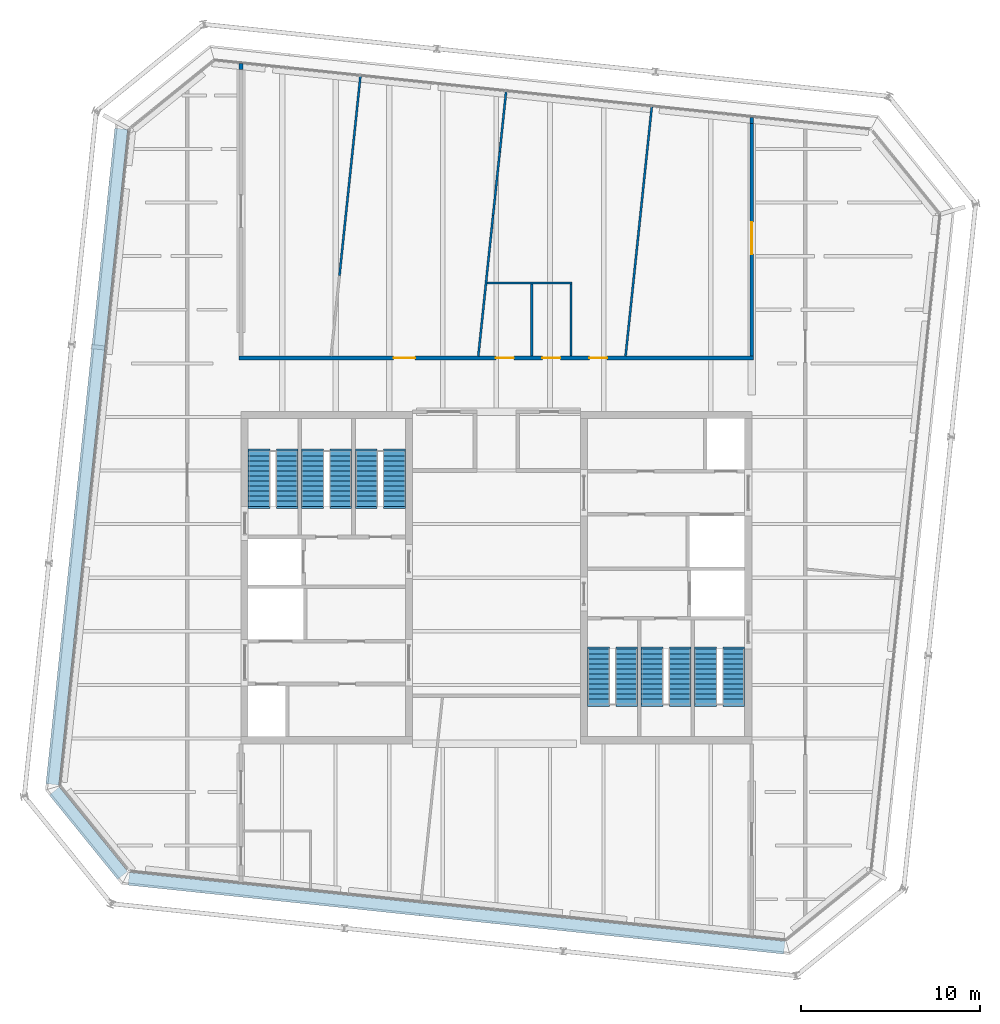
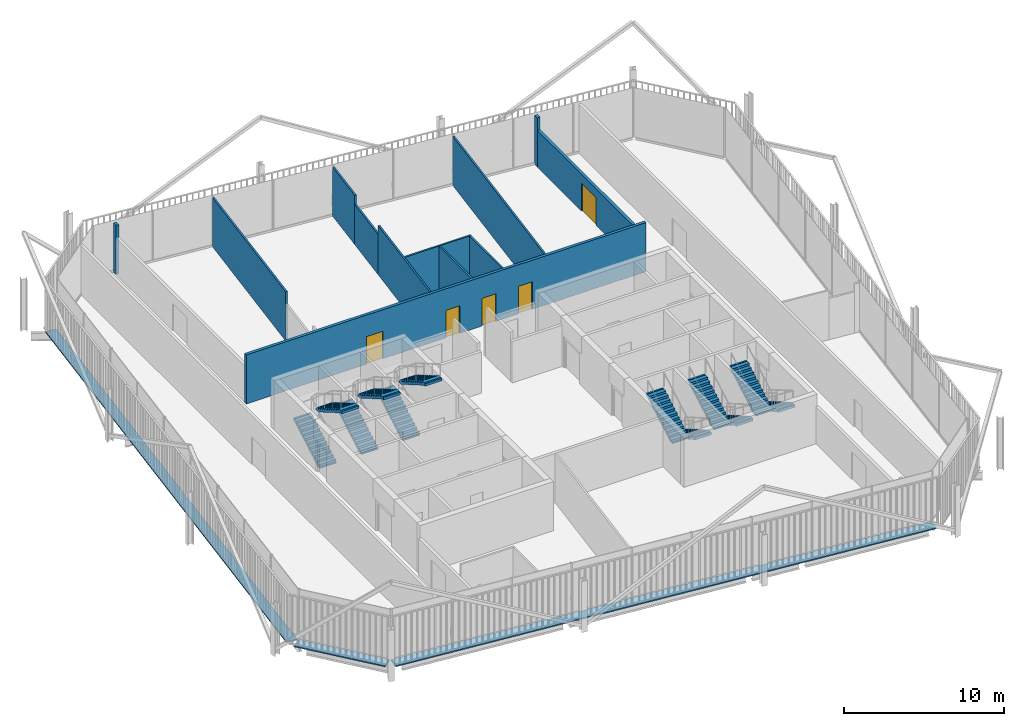
# One storey, part 19 of 21: 12 stair flights, 12 walls, 5 doors, 3 discrete accessories, 5 openings, 6 elements without a shape of their own.
"""IFC4 building model written with IfcOpenShell, lengths in metres."""

import ifcopenshell
import ifcopenshell.guid

model = None  # the IFC model being written
_history = None  # IfcOwnerHistory: only IFC2X3 demands one
_inside = {}  # id of a spatial element -> (the spatial element, [elements in it])
_under = {}  # id of a project, library or spatial element -> (it, [spatial elements below it])
_declared = {}  # id of a project -> (the project, [libraries it declares])
_typed = {}  # id of a type object -> (the type object, [elements of that type])
_made_of = {}  # id of a material, layer set ... -> (it, [elements and type objects made of it])


def new_model(schema):
    """Start an empty IFC model of exactly this schema.

    Asked for "IFC4X3", IfcOpenShell would pick the latest addendum, in which some entities
    have other attributes; the version numbers below select the first issue.
    IFC2X3 requires an IfcOwnerHistory on every rooted entity: one is made here for all.
    """
    global model, _history
    if schema == "IFC4X3":
        model = ifcopenshell.file(schema_version=(4, 3, 0, 0))
    else:
        model = ifcopenshell.file(schema=schema)
    _inside.clear()
    _under.clear()
    _declared.clear()
    _typed.clear()
    _made_of.clear()
    _history = None
    if model.schema == "IFC2X3":
        org = make("IfcOrganization", Name="unknown")
        user = make(
            "IfcPersonAndOrganization",
            ThePerson=make("IfcPerson", FamilyName="unknown"),
            TheOrganization=org,
        )
        app = make(
            "IfcApplication",
            ApplicationDeveloper=org,
            Version="unknown",
            ApplicationFullName="unknown",
            ApplicationIdentifier="unknown",
        )
        _history = make(
            "IfcOwnerHistory",
            OwningUser=user,
            OwningApplication=app,
            ChangeAction="ADDED",
            CreationDate=0,
        )
    return model


def make(cls, **values):
    """One entity of the class cls with the attributes given. An attribute that is None is left unset."""
    return model.create_entity(
        cls, **{name: value for name, value in values.items() if value is not None}
    )


def rooted(cls, **values):
    """An entity with a GlobalId (a new one), such as an element, a storey or a relation."""
    return make(cls, GlobalId=ifcopenshell.guid.new(), OwnerHistory=_history, **values)


def si_unit(unit_type, name, prefix=None):
    """IfcSIUnit, for example si_unit("LENGTHUNIT", "METRE", prefix="MILLI")."""
    return make("IfcSIUnit", UnitType=unit_type, Prefix=prefix, Name=name)


def assignment(units):
    """IfcUnitAssignment: the units of a project."""
    return None if units is None else make("IfcUnitAssignment", Units=units)


def point(xyz):
    """IfcCartesianPoint."""
    return None if xyz is None else make("IfcCartesianPoint", Coordinates=xyz)


def direction(xyz):
    """IfcDirection."""
    return None if xyz is None else make("IfcDirection", DirectionRatios=xyz)


def frame(location, z_axis=None, x_axis=None):
    """IfcAxis2Placement3D, a coordinate frame: its origin and axes. An axis left out is left unset."""
    return make(
        "IfcAxis2Placement3D",
        Location=point(location),
        Axis=direction(z_axis),
        RefDirection=direction(x_axis),
    )


def frame_2d(location, x_axis=None):
    """IfcAxis2Placement2D, a coordinate frame in the plane: its origin and x axis."""
    return make(
        "IfcAxis2Placement2D", Location=point(location), RefDirection=direction(x_axis)
    )


def origin():
    """The frame at (0, 0, 0) with its axes left unset."""
    return frame((0.0, 0.0, 0.0))


def origin_2d():
    """The frame at (0, 0) in the plane with its x axis left unset."""
    return frame_2d((0.0, 0.0))


def place(relative_to, where):
    """IfcLocalPlacement: puts the frame where relative to a parent placement (None: the world)."""
    return make(
        "IfcLocalPlacement", PlacementRelTo=relative_to, RelativePlacement=where
    )


def context(
    kind, dimensions, precision=None, world=None, true_north=None, identifier=None
):
    """IfcGeometricRepresentationContext, for example the 3D "Model" context."""
    return make(
        "IfcGeometricRepresentationContext",
        ContextIdentifier=identifier,
        ContextType=kind,
        CoordinateSpaceDimension=dimensions,
        Precision=precision,
        WorldCoordinateSystem=world,
        TrueNorth=true_north,
    )


def subcontext(parent, identifier, kind, view, scale=None):
    """IfcGeometricRepresentationSubContext, for example "Body" below "Model"."""
    return make(
        "IfcGeometricRepresentationSubContext",
        ContextIdentifier=identifier,
        ContextType=kind,
        ParentContext=parent,
        TargetScale=scale,
        TargetView=view,
    )


def project(units=None, contexts=None):
    """IfcProject with its units and contexts."""
    return rooted(
        "IfcProject",
        Name="project",
        RepresentationContexts=contexts,
        UnitsInContext=assignment(units),
    )


def spatial(cls, under=None, at=None, **own):
    """A site, building, storey or space (cls), placed at a placement, below another one or the project."""
    s = rooted(cls, ObjectPlacement=at, **own)
    if under is not None:
        _under.setdefault(under.id(), (under, []))[1].append(s)
    return s


def polyline(points):
    """IfcPolyline through the points."""
    return make("IfcPolyline", Points=[point(p) for p in points])


def profile(cls, at=None, kind="AREA", **sizes):
    """A parametric profile (cls). Its sizes go by their IFC names, for example OverallWidth=200.0."""
    return make(cls, ProfileType=kind, Position=at, **sizes)


def rectangle(**sizes):
    """IfcRectangleProfileDef."""
    return profile("IfcRectangleProfileDef", **sizes)


def outline(outer, holes=None, kind="AREA"):
    """IfcArbitraryClosedProfileDef: a profile drawn as a closed curve; with holes, ...WithVoids."""
    if holes is None:
        return make("IfcArbitraryClosedProfileDef", ProfileType=kind, OuterCurve=outer)
    return make(
        "IfcArbitraryProfileDefWithVoids",
        ProfileType=kind,
        OuterCurve=outer,
        InnerCurves=holes,
    )


def extrude(swept, where, along, depth):
    """IfcExtrudedAreaSolid: the profile swept, set in the frame where, extruded along a direction by depth."""
    return make(
        "IfcExtrudedAreaSolid",
        SweptArea=swept,
        Position=where,
        ExtrudedDirection=direction(along),
        Depth=depth,
    )


def shape(context_of_items, identifier, shape_type, items):
    """IfcShapeRepresentation: the items that make up one representation, for example the "Body"."""
    return make(
        "IfcShapeRepresentation",
        ContextOfItems=context_of_items,
        RepresentationIdentifier=identifier,
        RepresentationType=shape_type,
        Items=items,
    )


def material(Name=None, Category=None):
    """IfcMaterial."""
    return make("IfcMaterial", Name=Name, Category=Category)


def layer(
    of_material, thickness, ventilated=None, Name=None, Category=None, Priority=None
):
    """IfcMaterialLayer: one layer of a wall or slab, of a material (None: an air gap)."""
    return make(
        "IfcMaterialLayer",
        Material=of_material,
        LayerThickness=thickness,
        IsVentilated=ventilated,
        Name=Name,
        Category=Category,
        Priority=Priority,
    )


def layer_set(layers, Name=None):
    """IfcMaterialLayerSet."""
    return make("IfcMaterialLayerSet", MaterialLayers=layers, LayerSetName=Name)


def made_of(thing, what):
    """Note that an element or type object is made of a material, layer set ...; save() writes the relation."""
    if what is not None:
        _made_of.setdefault(what.id(), (what, []))[1].append(thing)
    return thing


def type_object(cls, material=None, **own):
    """A type object (cls), such as IfcWallType, which elements share."""
    return made_of(rooted(cls, **own), material)


def element(
    cls,
    number,
    at=None,
    inside=None,
    cuts=None,
    type_object=None,
    material=None,
    context=None,
    identifier="Body",
    shape_type=None,
    held_by="IfcProductDefinitionShape",
    body=None,
    shapes=None,
    **own,
):
    """One element of the class cls, such as IfcWall. Its Tag is "e" and its number.

    at: its placement. inside: the storey or other place that contains it. cuts: it is an
    opening in that element (IfcRelVoidsElement). A single representation is given by context,
    identifier, shape_type and body (its items); several are given by shapes. held_by: the class
    of the entity that holds the representations. save() writes the other relations.
    """
    e = rooted(cls, Tag="e%d" % number, ObjectPlacement=at, **own)
    if body is not None:
        shapes = [shape(context, identifier, shape_type, body)]
    if shapes is not None:
        e.Representation = make(held_by, Representations=shapes)
    if inside is not None:
        _inside.setdefault(inside.id(), (inside, []))[1].append(e)
    if cuts is not None:
        rooted(
            "IfcRelVoidsElement", RelatingBuildingElement=cuts, RelatedOpeningElement=e
        )
    if type_object is not None:
        _typed.setdefault(type_object.id(), (type_object, []))[1].append(e)
    return made_of(e, material)


def fill(opening, filler):
    """IfcRelFillsElement: the door or window that sits in an opening."""
    return rooted(
        "IfcRelFillsElement",
        RelatingOpeningElement=opening,
        RelatedBuildingElement=filler,
    )


def aggregate(whole, parts):
    """IfcRelAggregates: a whole, such as a stair, and the parts it consists of."""
    return rooted("IfcRelAggregates", RelatingObject=whole, RelatedObjects=parts)


def save(model, path):
    """Write the relations noted so far, then the file.

    IfcRelAggregates (storeys below a building ...), IfcRelContainedInSpatialStructure (elements
    in a storey), IfcRelDefinesByType, IfcRelAssociatesMaterial and IfcRelDeclares: one each for
    every whole, place, type object, material and project.
    """
    for whole, parts in _under.values():
        aggregate(whole, parts)
    for where, things in _inside.values():
        rooted(
            "IfcRelContainedInSpatialStructure",
            RelatedElements=things,
            RelatingStructure=where,
        )
    for kind, things in _typed.values():
        rooted("IfcRelDefinesByType", RelatedObjects=things, RelatingType=kind)
    for what, things in _made_of.values():
        rooted("IfcRelAssociatesMaterial", RelatedObjects=things, RelatingMaterial=what)
    for by, libraries in _declared.values():
        rooted("IfcRelDeclares", RelatingContext=by, RelatedDefinitions=libraries)
    model.write(path)


model = new_model("IFC4")

# Units and contexts
model_context = context("Model", 3, precision=1e-05, world=origin(), true_north=direction((0.0, 1.0)))
body_context = subcontext(model_context, "Body", "Model", "MODEL_VIEW")
ifc_project = project(units=[si_unit("LENGTHUNIT", "METRE"), si_unit("AREAUNIT", "SQUARE_METRE"), si_unit("VOLUMEUNIT", "CUBIC_METRE"), si_unit("PLANEANGLEUNIT", "RADIAN"), si_unit("MASSUNIT", "GRAM", prefix="KILO")], contexts=[model_context])

# Site, building, storey
site_placement = place(None, origin())
site = spatial("IfcSite", under=ifc_project, at=site_placement, CompositionType="ELEMENT")
building_placement = place(site_placement, origin())
building = spatial("IfcBuilding", under=site, at=building_placement, Name="Millrace Tower", CompositionType="ELEMENT")
storey_placement = place(building_placement, frame((0.0, 0.0, 276.0)))
storey = spatial("IfcBuildingStorey", under=building, at=storey_placement, Name="L63", CompositionType="ELEMENT", Elevation=276.0)

# Wall, openings, doors
ifc_material_1 = material(Name="Masonry partition, fire-rated", Category="masonry")
ifc_layer_1 = layer(ifc_material_1, 0.199951171875)
ifc_layer_set_1 = layer_set([ifc_layer_1], Name="Masonry partition, fire-rated")
wall_type_1 = type_object("IfcWallType", Name="Corridor wall 200", PredefinedType="PARTITIONING", material=ifc_layer_set_1)
wall_1_placement = place(storey_placement, frame((-14.39990234375, 12.300048828125, 0.0), z_axis=(0.0, 0.0, 1.0), x_axis=(1.0, 0.0, 0.0)))
wall_1 = element("IfcWall", 1, at=wall_1_placement, inside=storey, type_object=wall_type_1, Name="Corridor wall L63", PredefinedType="PARTITIONING", context=body_context, shape_type="SweptSolid", body=[
    extrude(rectangle(XDim=28.7998046875, YDim=0.199951171875, at=frame_2d((14.39990234375, 0.0))), origin(), (0.0, 0.0, 1.0), 3.739990234375),
])
opening_1_placement = place(wall_1_placement, frame((8.651611328125, 0.0, 0.0)))
opening_1 = element("IfcOpeningElement", 2, at=opening_1_placement, cuts=wall_1, Name="Opening 63-P005", PredefinedType="OPENING", context=body_context, shape_type="SweptSolid", body=[
    extrude(rectangle(XDim=1.199951171875, YDim=2.10009765625, at=frame_2d((0.60009765625, 1.050048828125))), frame((0.0, 0.10986328125, 0.0), z_axis=(0.0, -1.0, 0.0), x_axis=(1.0, 0.0, 0.0)), (0.0, 0.0, 1.0), 0.219970703125),
])
opening_2_placement = place(wall_1_placement, frame((19.596435546875, 0.0, 0.0)))
opening_2 = element("IfcOpeningElement", 3, at=opening_2_placement, cuts=wall_1, Name="Opening 63-P006", PredefinedType="OPENING", context=body_context, shape_type="SweptSolid", body=[
    extrude(rectangle(XDim=1.0, YDim=2.10009765625, at=frame_2d((0.5, 1.050048828125))), frame((0.0, 0.10986328125, 0.0), z_axis=(0.0, -1.0, 0.0), x_axis=(1.0, 0.0, 0.0)), (0.0, 0.0, 1.0), 0.219970703125),
])
opening_3_placement = place(wall_1_placement, frame((14.3740234375, 0.0, 0.0)))
opening_3 = element("IfcOpeningElement", 4, at=opening_3_placement, cuts=wall_1, Name="Opening 63-P007", PredefinedType="OPENING", context=body_context, shape_type="SweptSolid", body=[
    extrude(rectangle(XDim=1.0, YDim=2.10009765625, at=frame_2d((0.5, 1.050048828125))), frame((0.0, 0.10986328125, 0.0), z_axis=(0.0, -1.0, 0.0), x_axis=(1.0, 0.0, 0.0)), (0.0, 0.0, 1.0), 0.219970703125),
])
opening_4_placement = place(wall_1_placement, frame((16.97412109375, 0.0, 0.0)))
opening_4 = element("IfcOpeningElement", 5, at=opening_4_placement, cuts=wall_1, Name="Opening 63-P008", PredefinedType="OPENING", context=body_context, shape_type="SweptSolid", body=[
    extrude(rectangle(XDim=1.0, YDim=2.10009765625, at=frame_2d((0.5, 1.050048828125))), frame((0.0, 0.10986328125, 0.0), z_axis=(0.0, -1.0, 0.0), x_axis=(1.0, 0.0, 0.0)), (0.0, 0.0, 1.0), 0.219970703125),
])
ifc_material_2 = material(Name="Steel door set, fire-rated", Category="steel")
door_type_1 = type_object("IfcDoorType", Name="Corridor door 1000 x 2100", OperationType="SINGLE_SWING_LEFT", PredefinedType="DOOR", material=ifc_material_2)
door_1_placement = place(opening_2_placement, origin())
door_1 = element("IfcDoor", 6, at=door_1_placement, inside=storey, type_object=door_type_1, Name="Door 63-P006", OperationType="SINGLE_SWING_RIGHT", OverallHeight=2.10009765625, OverallWidth=1.0, PredefinedType="DOOR", context=body_context, shape_type="SweptSolid", body=[
    extrude(rectangle(XDim=1.0, YDim=2.10009765625, at=frame_2d((0.5, 1.050048828125))), frame((0.0, 0.02490234375, 0.0), z_axis=(0.0, -1.0, 0.0), x_axis=(1.0, 0.0, 0.0)), (0.0, 0.0, 1.0), 0.050048828125),
])
fill(opening_2, door_1)
door_2_placement = place(opening_3_placement, origin())
door_2 = element("IfcDoor", 7, at=door_2_placement, inside=storey, type_object=door_type_1, Name="Door 63-P007", OperationType="SINGLE_SWING_RIGHT", OverallHeight=2.10009765625, OverallWidth=1.0, PredefinedType="DOOR", context=body_context, shape_type="SweptSolid", body=[
    extrude(rectangle(XDim=1.0, YDim=2.10009765625, at=frame_2d((0.5, 1.050048828125))), frame((0.0, 0.02490234375, 0.0), z_axis=(0.0, -1.0, 0.0), x_axis=(1.0, 0.0, 0.0)), (0.0, 0.0, 1.0), 0.050048828125),
])
fill(opening_3, door_2)
door_3_placement = place(opening_4_placement, origin())
door_3 = element("IfcDoor", 8, at=door_3_placement, inside=storey, type_object=door_type_1, Name="Door 63-P008", OperationType="SINGLE_SWING_RIGHT", OverallHeight=2.10009765625, OverallWidth=1.0, PredefinedType="DOOR", context=body_context, shape_type="SweptSolid", body=[
    extrude(rectangle(XDim=1.0, YDim=2.10009765625, at=frame_2d((0.5, 1.050048828125))), frame((0.0, 0.02490234375, 0.0), z_axis=(0.0, -1.0, 0.0), x_axis=(1.0, 0.0, 0.0)), (0.0, 0.0, 1.0), 0.050048828125),
])
fill(opening_4, door_3)
ifc_material_3 = material(Name="Steel door set, fire-rated", Category="steel")
door_type_2 = type_object("IfcDoorType", Name="Corridor door 1200 x 2100", OperationType="SINGLE_SWING_LEFT", PredefinedType="DOOR", material=ifc_material_3)
door_4_placement = place(opening_1_placement, origin())
door_4 = element("IfcDoor", 9, at=door_4_placement, inside=storey, type_object=door_type_2, Name="Door 63-P005", OperationType="SINGLE_SWING_LEFT", OverallHeight=2.10009765625, OverallWidth=1.199951171875, PredefinedType="DOOR", context=body_context, shape_type="SweptSolid", body=[
    extrude(rectangle(XDim=1.199951171875, YDim=2.10009765625, at=frame_2d((0.60009765625, 1.050048828125))), frame((0.0, 0.02490234375, 0.0), z_axis=(0.0, -1.0, 0.0), x_axis=(1.0, 0.0, 0.0)), (0.0, 0.0, 1.0), 0.050048828125),
])
fill(opening_1, door_4)

# Wall, opening, door
wall_2_placement = place(storey_placement, frame((14.300048828125, 12.39990234375, 0.0), z_axis=(0.0, 0.0, 1.0), x_axis=(0.0, 1.0, 0.0)))
wall_2 = element("IfcWall", 10, at=wall_2_placement, inside=storey, type_object=wall_type_1, Name="Corridor wall L63", PredefinedType="PARTITIONING", context=body_context, shape_type="SweptSolid", body=[
    extrude(rectangle(XDim=13.034423828125, YDim=0.199951171875, at=frame_2d((6.51708984375, 0.0))), origin(), (0.0, 0.0, 1.0), 2.79248046875),
])
opening_5_placement = place(wall_2_placement, frame((5.71142578125, 0.0, 0.0)))
opening_5 = element("IfcOpeningElement", 11, at=opening_5_placement, cuts=wall_2, Name="Opening 63-P009", PredefinedType="OPENING", context=body_context, shape_type="SweptSolid", body=[
    extrude(rectangle(XDim=1.800048828125, YDim=2.10009765625, at=frame_2d((0.89990234375, 1.050048828125))), frame((0.0, 0.10986328125, 0.0), z_axis=(0.0, -1.0, 0.0), x_axis=(1.0, 0.0, 0.0)), (0.0, 0.0, 1.0), 0.219970703125),
])
ifc_material_4 = material(Name="Steel door set, fire-rated", Category="steel")
door_type_3 = type_object("IfcDoorType", Name="Corridor door 1800 x 2100", OperationType="DOUBLE_DOOR_SINGLE_SWING", PredefinedType="DOOR", material=ifc_material_4)
door_5_placement = place(opening_5_placement, origin())
door_5 = element("IfcDoor", 12, at=door_5_placement, inside=storey, type_object=door_type_3, Name="Door 63-P009", OperationType="DOUBLE_DOOR_SINGLE_SWING", OverallHeight=2.10009765625, OverallWidth=1.800048828125, PredefinedType="DOOR", context=body_context, shape_type="SweptSolid", body=[
    extrude(rectangle(XDim=1.800048828125, YDim=2.10009765625, at=frame_2d((0.89990234375, 1.050048828125))), frame((0.0, 0.02490234375, 0.0), z_axis=(0.0, -1.0, 0.0), x_axis=(1.0, 0.0, 0.0)), (0.0, 0.0, 1.0), 0.050048828125),
])
fill(opening_5, door_5)

# Walls
wall_3_placement = place(storey_placement, frame((14.300048828125, 25.434326171875, 0.0), z_axis=(0.0, 0.0, 1.0), x_axis=(0.0, 1.0, 0.0)))
element("IfcWall", 13, at=wall_3_placement, inside=storey, type_object=wall_type_1, Name="Corridor wall L63", PredefinedType="PARTITIONING", context=body_context, shape_type="SweptSolid", body=[
    extrude(rectangle(XDim=0.339111328125, YDim=0.199951171875, at=frame_2d((0.16943359375, 0.0))), origin(), (0.0, 0.0, 1.0), 3.739990234375),
])
wall_4_placement = place(storey_placement, frame((-14.300048828125, 28.440185546875, 0.0), z_axis=(0.0, 0.0, 1.0), x_axis=(0.0, 1.0, 0.0)))
element("IfcWall", 14, at=wall_4_placement, inside=storey, type_object=wall_type_1, Name="Corridor wall L63", PredefinedType="PARTITIONING", context=body_context, shape_type="SweptSolid", body=[
    extrude(rectangle(XDim=0.33935546875, YDim=0.199951171875, at=frame_2d((0.169677734375, 0.0))), origin(), (0.0, 0.0, 1.0), 3.739990234375),
])
ifc_material_5 = material(Name="Gypsum board partition")
ifc_layer_2 = layer(ifc_material_5, 0.1201171875)
ifc_layer_set_2 = layer_set([ifc_layer_2], Name="Gypsum board partition")
wall_type_2 = type_object("IfcWallType", Name="Partition wall 120", PredefinedType="PARTITIONING", material=ifc_layer_set_2)
wall_5_placement = place(storey_placement, frame((-0.52392578125, 16.5, 0.0), z_axis=(0.0, 0.0, 1.0), x_axis=(1.0, 0.0, 0.0)))
element("IfcWall", 15, at=wall_5_placement, inside=storey, type_object=wall_type_2, Name="Partition wall L63", PredefinedType="PARTITIONING", context=body_context, shape_type="SweptSolid", body=[
    extrude(rectangle(XDim=4.7578125, YDim=0.1201171875, at=frame_2d((2.37890625, 0.0))), origin(), (0.0, 0.0, 1.0), 3.739990234375),
])
wall_6_placement = place(storey_placement, frame((7.2294921875, 12.3994140625, 0.0), z_axis=(0.0, 0.0, 1.0), x_axis=(0.104543574031, 0.994520307047, 0.0)))
element("IfcWall", 16, at=wall_6_placement, inside=storey, type_object=wall_type_2, Name="Partition wall L63", PredefinedType="PARTITIONING", context=body_context, shape_type="SweptSolid", body=[
    extrude(rectangle(XDim=14.039794921875, YDim=0.1201171875, at=frame_2d((7.02001953125, 0.0))), origin(), (0.0, 0.0, 1.0), 3.739990234375),
])
wall_7_placement = place(storey_placement, frame((-1.014892578125, 12.3994140625, 0.0), z_axis=(0.0, 0.0, 1.0), x_axis=(0.104490466959, 0.994525888207, 0.0)))
element("IfcWall", 17, at=wall_7_placement, inside=storey, type_object=wall_type_2, Name="Partition wall L63", PredefinedType="PARTITIONING", context=body_context, shape_type="SweptSolid", body=[
    extrude(rectangle(XDim=7.91357421875, YDim=0.1201171875, at=frame_2d((3.956787109375, 0.0))), origin(), (0.0, 0.0, 1.0), 3.739990234375),
])
wall_8_placement = place(storey_placement, frame((-0.18798828125, 20.269775390625, 0.0), z_axis=(0.0, 0.0, 1.0), x_axis=(0.104508154604, 0.994524029685, 0.0)))
element("IfcWall", 18, at=wall_8_placement, inside=storey, type_object=wall_type_2, Name="Partition wall L63", PredefinedType="PARTITIONING", context=body_context, shape_type="SweptSolid", body=[
    extrude(rectangle(XDim=3.59765625, YDim=0.1201171875, at=frame_2d((1.798828125, 0.0))), origin(), (0.0, 0.0, 1.0), 3.046630859375),
])
wall_9_placement = place(storey_placement, frame((0.18798828125, 23.84765625, 0.0), z_axis=(0.0, 0.0, 1.0), x_axis=(0.104486114496, 0.994526345492, 0.0)))
element("IfcWall", 19, at=wall_9_placement, inside=storey, type_object=wall_type_2, Name="Partition wall L63", PredefinedType="PARTITIONING", context=body_context, shape_type="SweptSolid", body=[
    extrude(rectangle(XDim=3.390380859375, YDim=0.1201171875, at=frame_2d((1.6953125, 0.0))), origin(), (0.0, 0.0, 1.0), 3.739990234375),
])
wall_10_placement = place(storey_placement, frame((-8.78662109375, 16.908203125, 0.0), z_axis=(0.0, 0.0, 1.0), x_axis=(0.104526348567, 0.99452211763, 0.0)))
element("IfcWall", 20, at=wall_10_placement, inside=storey, type_object=wall_type_2, Name="Partition wall L63", PredefinedType="PARTITIONING", context=body_context, shape_type="SweptSolid", body=[
    extrude(rectangle(XDim=11.22998046875, YDim=0.1201171875, at=frame_2d((5.614990234375, 0.0))), origin(), (0.0, 0.0, 1.0), 3.739990234375),
])
for number, where, z_axis, x_axis, name in (
    (21, (4.174072265625, 12.39990234375, 0.0), (0.0, 0.0, 1.0), (0.0, 1.0, 0.0), "Partition wall L63"),
    (22, (1.97412109375, 12.39990234375, 0.0), (0.0, 0.0, 1.0), (0.0, 1.0, 0.0), "Partition wall L63"),
):
    element("IfcWall", number, at=place(storey_placement, frame(where, z_axis=z_axis, x_axis=x_axis)), inside=storey, type_object=wall_type_2, Name=name, PredefinedType="PARTITIONING", context=body_context, shape_type="SweptSolid", body=[
        extrude(rectangle(XDim=4.0400390625, YDim=0.1201171875, at=frame_2d((2.02001953125, 0.0))), origin(), (0.0, 0.0, 1.0), 3.739990234375),
    ])

# Stair, stair flights
ifc_material_6 = material(Name="Concrete C35", Category="concrete")
stair_type = type_object("IfcStairType", Name="Exit stair", PredefinedType="HALF_TURN_STAIR", material=ifc_material_6)
placement = place(storey_placement, origin())
stair_1 = element("IfcStair", 23, at=placement, inside=storey, type_object=stair_type, Name="Stair 1 W L63", PredefinedType="HALF_TURN_STAIR")
ifc_material_7 = material(Name="Concrete C35", Category="concrete")
stair_flight_type = type_object("IfcStairFlightType", Name="Exit stair flight", PredefinedType="STRAIGHT", material=ifc_material_7)
stair_flight_1_placement = place(storey_placement, frame((-13.2900390625, 4.0, 0.0), z_axis=(0.0, 0.0, 1.0), x_axis=(0.0, 1.0, 0.0)))
stair_flight_1 = element("IfcStairFlight", 24, at=stair_flight_1_placement, type_object=stair_flight_type, Name="ST12 flight 1", NumberOfRisers=12, NumberOfTreads=11, PredefinedType="STRAIGHT", RiserHeight=0.1625, TreadLength=0.28, context=body_context, shape_type="SweptSolid", body=[
    extrude(outline(polyline([(-0.1201171875, -0.0400390625), (-0.1201171875, 0.0), (0.0, 0.0), (0.0, 0.16259765625), (0.280029296875, 0.16259765625), (0.280029296875, 0.324951171875), (0.56005859375, 0.324951171875), (0.56005859375, 0.487548828125), (0.840087890625, 0.487548828125), (0.840087890625, 0.64990234375), (1.1201171875, 0.64990234375), (1.1201171875, 0.8125), (1.39990234375, 0.8125), (1.39990234375, 0.97509765625), (1.679931640625, 0.97509765625), (1.679931640625, 1.137451171875), (1.9599609375, 1.137451171875), (1.9599609375, 1.300048828125), (2.239990234375, 1.300048828125), (2.239990234375, 1.46240234375), (2.52001953125, 1.46240234375), (2.52001953125, 1.625), (2.800048828125, 1.625), (2.800048828125, 1.78759765625), (3.080078125, 1.78759765625), (3.080078125, 1.8076171875), (3.199951171875, 1.8076171875), (3.199951171875, 1.6142578125), (3.080078125, 1.6142578125), (0.298583984375, 0.0), (0.298583984375, -0.0400390625), (-0.1201171875, -0.0400390625)])), frame((0.0, 0.60986328125, 0.0), z_axis=(0.0, -1.0, 0.0), x_axis=(1.0, 0.0, 0.0)), (0.0, 0.0, 1.0), 1.219970703125),
])
stair_flight_2_placement = place(storey_placement, frame((-11.7099609375, 7.080078125, 1.949951171875), z_axis=(0.0, 0.0, 1.0), x_axis=(0.0, -1.0, 0.0)))
stair_flight_2 = element("IfcStairFlight", 25, at=stair_flight_2_placement, type_object=stair_flight_type, Name="ST12 flight 2", NumberOfRisers=12, NumberOfTreads=11, PredefinedType="STRAIGHT", RiserHeight=0.1625, TreadLength=0.28, context=body_context, shape_type="SweptSolid", body=[
    extrude(outline(polyline([(-0.1201171875, -0.0400390625), (-0.1201171875, 0.0), (0.0, 0.0), (0.0, 0.16259765625), (0.280029296875, 0.16259765625), (0.280029296875, 0.324951171875), (0.56005859375, 0.324951171875), (0.56005859375, 0.487548828125), (0.840087890625, 0.487548828125), (0.840087890625, 0.64990234375), (1.1201171875, 0.64990234375), (1.1201171875, 0.8125), (1.39990234375, 0.8125), (1.39990234375, 0.97509765625), (1.679931640625, 0.97509765625), (1.679931640625, 1.137451171875), (1.9599609375, 1.137451171875), (1.9599609375, 1.300048828125), (2.239990234375, 1.300048828125), (2.239990234375, 1.46240234375), (2.52001953125, 1.46240234375), (2.52001953125, 1.625), (2.800048828125, 1.625), (2.800048828125, 1.78759765625), (3.080078125, 1.78759765625), (3.080078125, 1.8076171875), (3.199951171875, 1.8076171875), (3.199951171875, 1.6142578125), (3.080078125, 1.6142578125), (0.298583984375, 0.0), (0.298583984375, -0.0400390625), (-0.1201171875, -0.0400390625)])), frame((0.0, 0.60986328125, 0.0), z_axis=(0.0, -1.0, 0.0), x_axis=(1.0, 0.0, 0.0)), (0.0, 0.0, 1.0), 1.219970703125),
])
aggregate(stair_1, [stair_flight_1, stair_flight_2])

stair_2 = element("IfcStair", 26, at=placement, inside=storey, type_object=stair_type, Name="Stair 2 W L63", PredefinedType="HALF_TURN_STAIR")
stair_flight_3_placement = place(storey_placement, frame((-10.2900390625, 4.0, 0.0), z_axis=(0.0, 0.0, 1.0), x_axis=(0.0, 1.0, 0.0)))
stair_flight_3 = element("IfcStairFlight", 27, at=stair_flight_3_placement, type_object=stair_flight_type, Name="ST12 flight 1", NumberOfRisers=12, NumberOfTreads=11, PredefinedType="STRAIGHT", RiserHeight=0.1625, TreadLength=0.28, context=body_context, shape_type="SweptSolid", body=[
    extrude(outline(polyline([(-0.1201171875, -0.0400390625), (-0.1201171875, 0.0), (0.0, 0.0), (0.0, 0.16259765625), (0.280029296875, 0.16259765625), (0.280029296875, 0.324951171875), (0.56005859375, 0.324951171875), (0.56005859375, 0.487548828125), (0.840087890625, 0.487548828125), (0.840087890625, 0.64990234375), (1.1201171875, 0.64990234375), (1.1201171875, 0.8125), (1.39990234375, 0.8125), (1.39990234375, 0.97509765625), (1.679931640625, 0.97509765625), (1.679931640625, 1.137451171875), (1.9599609375, 1.137451171875), (1.9599609375, 1.300048828125), (2.239990234375, 1.300048828125), (2.239990234375, 1.46240234375), (2.52001953125, 1.46240234375), (2.52001953125, 1.625), (2.800048828125, 1.625), (2.800048828125, 1.78759765625), (3.080078125, 1.78759765625), (3.080078125, 1.8076171875), (3.199951171875, 1.8076171875), (3.199951171875, 1.6142578125), (3.080078125, 1.6142578125), (0.298583984375, 0.0), (0.298583984375, -0.0400390625), (-0.1201171875, -0.0400390625)])), frame((0.0, 0.60986328125, 0.0), z_axis=(0.0, -1.0, 0.0), x_axis=(1.0, 0.0, 0.0)), (0.0, 0.0, 1.0), 1.219970703125),
])
stair_flight_4_placement = place(storey_placement, frame((-8.7099609375, 7.080078125, 1.949951171875), z_axis=(0.0, 0.0, 1.0), x_axis=(0.0, -1.0, 0.0)))
stair_flight_4 = element("IfcStairFlight", 28, at=stair_flight_4_placement, type_object=stair_flight_type, Name="ST12 flight 2", NumberOfRisers=12, NumberOfTreads=11, PredefinedType="STRAIGHT", RiserHeight=0.1625, TreadLength=0.28, context=body_context, shape_type="SweptSolid", body=[
    extrude(outline(polyline([(-0.1201171875, -0.0400390625), (-0.1201171875, 0.0), (0.0, 0.0), (0.0, 0.16259765625), (0.280029296875, 0.16259765625), (0.280029296875, 0.324951171875), (0.56005859375, 0.324951171875), (0.56005859375, 0.487548828125), (0.840087890625, 0.487548828125), (0.840087890625, 0.64990234375), (1.1201171875, 0.64990234375), (1.1201171875, 0.8125), (1.39990234375, 0.8125), (1.39990234375, 0.97509765625), (1.679931640625, 0.97509765625), (1.679931640625, 1.137451171875), (1.9599609375, 1.137451171875), (1.9599609375, 1.300048828125), (2.239990234375, 1.300048828125), (2.239990234375, 1.46240234375), (2.52001953125, 1.46240234375), (2.52001953125, 1.625), (2.800048828125, 1.625), (2.800048828125, 1.78759765625), (3.080078125, 1.78759765625), (3.080078125, 1.8076171875), (3.199951171875, 1.8076171875), (3.199951171875, 1.6142578125), (3.080078125, 1.6142578125), (0.298583984375, 0.0), (0.298583984375, -0.0400390625), (-0.1201171875, -0.0400390625)])), frame((0.0, 0.60986328125, 0.0), z_axis=(0.0, -1.0, 0.0), x_axis=(1.0, 0.0, 0.0)), (0.0, 0.0, 1.0), 1.219970703125),
])
aggregate(stair_2, [stair_flight_3, stair_flight_4])

stair_3 = element("IfcStair", 29, at=placement, inside=storey, type_object=stair_type, Name="Stair 3 W L63", PredefinedType="HALF_TURN_STAIR")
stair_flight_5_placement = place(storey_placement, frame((-7.2900390625, 4.0, 0.0), z_axis=(0.0, 0.0, 1.0), x_axis=(0.0, 1.0, 0.0)))
stair_flight_5 = element("IfcStairFlight", 30, at=stair_flight_5_placement, type_object=stair_flight_type, Name="ST12 flight 1", NumberOfRisers=12, NumberOfTreads=11, PredefinedType="STRAIGHT", RiserHeight=0.1625, TreadLength=0.28, context=body_context, shape_type="SweptSolid", body=[
    extrude(outline(polyline([(-0.1201171875, -0.0400390625), (-0.1201171875, 0.0), (0.0, 0.0), (0.0, 0.16259765625), (0.280029296875, 0.16259765625), (0.280029296875, 0.324951171875), (0.56005859375, 0.324951171875), (0.56005859375, 0.487548828125), (0.840087890625, 0.487548828125), (0.840087890625, 0.64990234375), (1.1201171875, 0.64990234375), (1.1201171875, 0.8125), (1.39990234375, 0.8125), (1.39990234375, 0.97509765625), (1.679931640625, 0.97509765625), (1.679931640625, 1.137451171875), (1.9599609375, 1.137451171875), (1.9599609375, 1.300048828125), (2.239990234375, 1.300048828125), (2.239990234375, 1.46240234375), (2.52001953125, 1.46240234375), (2.52001953125, 1.625), (2.800048828125, 1.625), (2.800048828125, 1.78759765625), (3.080078125, 1.78759765625), (3.080078125, 1.8076171875), (3.199951171875, 1.8076171875), (3.199951171875, 1.6142578125), (3.080078125, 1.6142578125), (0.298583984375, 0.0), (0.298583984375, -0.0400390625), (-0.1201171875, -0.0400390625)])), frame((0.0, 0.60986328125, 0.0), z_axis=(0.0, -1.0, 0.0), x_axis=(1.0, 0.0, 0.0)), (0.0, 0.0, 1.0), 1.219970703125),
])
stair_flight_6_placement = place(storey_placement, frame((-5.7099609375, 7.080078125, 1.949951171875), z_axis=(0.0, 0.0, 1.0), x_axis=(0.0, -1.0, 0.0)))
stair_flight_6 = element("IfcStairFlight", 31, at=stair_flight_6_placement, type_object=stair_flight_type, Name="ST12 flight 2", NumberOfRisers=12, NumberOfTreads=11, PredefinedType="STRAIGHT", RiserHeight=0.1625, TreadLength=0.28, context=body_context, shape_type="SweptSolid", body=[
    extrude(outline(polyline([(-0.1201171875, -0.0400390625), (-0.1201171875, 0.0), (0.0, 0.0), (0.0, 0.16259765625), (0.280029296875, 0.16259765625), (0.280029296875, 0.324951171875), (0.56005859375, 0.324951171875), (0.56005859375, 0.487548828125), (0.840087890625, 0.487548828125), (0.840087890625, 0.64990234375), (1.1201171875, 0.64990234375), (1.1201171875, 0.8125), (1.39990234375, 0.8125), (1.39990234375, 0.97509765625), (1.679931640625, 0.97509765625), (1.679931640625, 1.137451171875), (1.9599609375, 1.137451171875), (1.9599609375, 1.300048828125), (2.239990234375, 1.300048828125), (2.239990234375, 1.46240234375), (2.52001953125, 1.46240234375), (2.52001953125, 1.625), (2.800048828125, 1.625), (2.800048828125, 1.78759765625), (3.080078125, 1.78759765625), (3.080078125, 1.8076171875), (3.199951171875, 1.8076171875), (3.199951171875, 1.6142578125), (3.080078125, 1.6142578125), (0.298583984375, 0.0), (0.298583984375, -0.0400390625), (-0.1201171875, -0.0400390625)])), frame((0.0, 0.60986328125, 0.0), z_axis=(0.0, -1.0, 0.0), x_axis=(1.0, 0.0, 0.0)), (0.0, 0.0, 1.0), 1.219970703125),
])
aggregate(stair_3, [stair_flight_5, stair_flight_6])

stair_4 = element("IfcStair", 32, at=placement, inside=storey, type_object=stair_type, Name="Stair 1 E L63", PredefinedType="HALF_TURN_STAIR")
stair_flight_7_placement = place(storey_placement, frame((13.2900390625, -4.0, 0.0), z_axis=(0.0, 0.0, 1.0), x_axis=(0.0, -1.0, 0.0)))
stair_flight_7 = element("IfcStairFlight", 33, at=stair_flight_7_placement, type_object=stair_flight_type, Name="ST12 flight 1", NumberOfRisers=12, NumberOfTreads=11, PredefinedType="STRAIGHT", RiserHeight=0.1625, TreadLength=0.28, context=body_context, shape_type="SweptSolid", body=[
    extrude(outline(polyline([(-0.1201171875, -0.0400390625), (-0.1201171875, 0.0), (0.0, 0.0), (0.0, 0.16259765625), (0.280029296875, 0.16259765625), (0.280029296875, 0.324951171875), (0.56005859375, 0.324951171875), (0.56005859375, 0.487548828125), (0.840087890625, 0.487548828125), (0.840087890625, 0.64990234375), (1.1201171875, 0.64990234375), (1.1201171875, 0.8125), (1.39990234375, 0.8125), (1.39990234375, 0.97509765625), (1.679931640625, 0.97509765625), (1.679931640625, 1.137451171875), (1.9599609375, 1.137451171875), (1.9599609375, 1.300048828125), (2.239990234375, 1.300048828125), (2.239990234375, 1.46240234375), (2.52001953125, 1.46240234375), (2.52001953125, 1.625), (2.800048828125, 1.625), (2.800048828125, 1.78759765625), (3.080078125, 1.78759765625), (3.080078125, 1.8076171875), (3.199951171875, 1.8076171875), (3.199951171875, 1.6142578125), (3.080078125, 1.6142578125), (0.298583984375, 0.0), (0.298583984375, -0.0400390625), (-0.1201171875, -0.0400390625)])), frame((0.0, 0.60986328125, 0.0), z_axis=(0.0, -1.0, 0.0), x_axis=(1.0, 0.0, 0.0)), (0.0, 0.0, 1.0), 1.219970703125),
])
stair_flight_8_placement = place(storey_placement, frame((11.7099609375, -7.080078125, 1.949951171875), z_axis=(0.0, 0.0, 1.0), x_axis=(0.0, 1.0, 0.0)))
stair_flight_8 = element("IfcStairFlight", 34, at=stair_flight_8_placement, type_object=stair_flight_type, Name="ST12 flight 2", NumberOfRisers=12, NumberOfTreads=11, PredefinedType="STRAIGHT", RiserHeight=0.1625, TreadLength=0.28, context=body_context, shape_type="SweptSolid", body=[
    extrude(outline(polyline([(-0.1201171875, -0.0400390625), (-0.1201171875, 0.0), (0.0, 0.0), (0.0, 0.16259765625), (0.280029296875, 0.16259765625), (0.280029296875, 0.324951171875), (0.56005859375, 0.324951171875), (0.56005859375, 0.487548828125), (0.840087890625, 0.487548828125), (0.840087890625, 0.64990234375), (1.1201171875, 0.64990234375), (1.1201171875, 0.8125), (1.39990234375, 0.8125), (1.39990234375, 0.97509765625), (1.679931640625, 0.97509765625), (1.679931640625, 1.137451171875), (1.9599609375, 1.137451171875), (1.9599609375, 1.300048828125), (2.239990234375, 1.300048828125), (2.239990234375, 1.46240234375), (2.52001953125, 1.46240234375), (2.52001953125, 1.625), (2.800048828125, 1.625), (2.800048828125, 1.78759765625), (3.080078125, 1.78759765625), (3.080078125, 1.8076171875), (3.199951171875, 1.8076171875), (3.199951171875, 1.6142578125), (3.080078125, 1.6142578125), (0.298583984375, 0.0), (0.298583984375, -0.0400390625), (-0.1201171875, -0.0400390625)])), frame((0.0, 0.60986328125, 0.0), z_axis=(0.0, -1.0, 0.0), x_axis=(1.0, 0.0, 0.0)), (0.0, 0.0, 1.0), 1.219970703125),
])
aggregate(stair_4, [stair_flight_7, stair_flight_8])

stair_5 = element("IfcStair", 35, at=placement, inside=storey, type_object=stair_type, Name="Stair 2 E L63", PredefinedType="HALF_TURN_STAIR")
stair_flight_9_placement = place(storey_placement, frame((10.2900390625, -4.0, 0.0), z_axis=(0.0, 0.0, 1.0), x_axis=(0.0, -1.0, 0.0)))
stair_flight_9 = element("IfcStairFlight", 36, at=stair_flight_9_placement, type_object=stair_flight_type, Name="ST12 flight 1", NumberOfRisers=12, NumberOfTreads=11, PredefinedType="STRAIGHT", RiserHeight=0.1625, TreadLength=0.28, context=body_context, shape_type="SweptSolid", body=[
    extrude(outline(polyline([(-0.1201171875, -0.0400390625), (-0.1201171875, 0.0), (0.0, 0.0), (0.0, 0.16259765625), (0.280029296875, 0.16259765625), (0.280029296875, 0.324951171875), (0.56005859375, 0.324951171875), (0.56005859375, 0.487548828125), (0.840087890625, 0.487548828125), (0.840087890625, 0.64990234375), (1.1201171875, 0.64990234375), (1.1201171875, 0.8125), (1.39990234375, 0.8125), (1.39990234375, 0.97509765625), (1.679931640625, 0.97509765625), (1.679931640625, 1.137451171875), (1.9599609375, 1.137451171875), (1.9599609375, 1.300048828125), (2.239990234375, 1.300048828125), (2.239990234375, 1.46240234375), (2.52001953125, 1.46240234375), (2.52001953125, 1.625), (2.800048828125, 1.625), (2.800048828125, 1.78759765625), (3.080078125, 1.78759765625), (3.080078125, 1.8076171875), (3.199951171875, 1.8076171875), (3.199951171875, 1.6142578125), (3.080078125, 1.6142578125), (0.298583984375, 0.0), (0.298583984375, -0.0400390625), (-0.1201171875, -0.0400390625)])), frame((0.0, 0.60986328125, 0.0), z_axis=(0.0, -1.0, 0.0), x_axis=(1.0, 0.0, 0.0)), (0.0, 0.0, 1.0), 1.219970703125),
])
stair_flight_10_placement = place(storey_placement, frame((8.7099609375, -7.080078125, 1.949951171875), z_axis=(0.0, 0.0, 1.0), x_axis=(0.0, 1.0, 0.0)))
stair_flight_10 = element("IfcStairFlight", 37, at=stair_flight_10_placement, type_object=stair_flight_type, Name="ST12 flight 2", NumberOfRisers=12, NumberOfTreads=11, PredefinedType="STRAIGHT", RiserHeight=0.1625, TreadLength=0.28, context=body_context, shape_type="SweptSolid", body=[
    extrude(outline(polyline([(-0.1201171875, -0.0400390625), (-0.1201171875, 0.0), (0.0, 0.0), (0.0, 0.16259765625), (0.280029296875, 0.16259765625), (0.280029296875, 0.324951171875), (0.56005859375, 0.324951171875), (0.56005859375, 0.487548828125), (0.840087890625, 0.487548828125), (0.840087890625, 0.64990234375), (1.1201171875, 0.64990234375), (1.1201171875, 0.8125), (1.39990234375, 0.8125), (1.39990234375, 0.97509765625), (1.679931640625, 0.97509765625), (1.679931640625, 1.137451171875), (1.9599609375, 1.137451171875), (1.9599609375, 1.300048828125), (2.239990234375, 1.300048828125), (2.239990234375, 1.46240234375), (2.52001953125, 1.46240234375), (2.52001953125, 1.625), (2.800048828125, 1.625), (2.800048828125, 1.78759765625), (3.080078125, 1.78759765625), (3.080078125, 1.8076171875), (3.199951171875, 1.8076171875), (3.199951171875, 1.6142578125), (3.080078125, 1.6142578125), (0.298583984375, 0.0), (0.298583984375, -0.0400390625), (-0.1201171875, -0.0400390625)])), frame((0.0, 0.60986328125, 0.0), z_axis=(0.0, -1.0, 0.0), x_axis=(1.0, 0.0, 0.0)), (0.0, 0.0, 1.0), 1.219970703125),
])
aggregate(stair_5, [stair_flight_9, stair_flight_10])

stair_6 = element("IfcStair", 38, at=placement, inside=storey, type_object=stair_type, Name="Stair 3 E L63", PredefinedType="HALF_TURN_STAIR")
stair_flight_11_placement = place(storey_placement, frame((7.2900390625, -4.0, 0.0), z_axis=(0.0, 0.0, 1.0), x_axis=(0.0, -1.0, 0.0)))
stair_flight_11 = element("IfcStairFlight", 39, at=stair_flight_11_placement, type_object=stair_flight_type, Name="ST12 flight 1", NumberOfRisers=12, NumberOfTreads=11, PredefinedType="STRAIGHT", RiserHeight=0.1625, TreadLength=0.28, context=body_context, shape_type="SweptSolid", body=[
    extrude(outline(polyline([(-0.1201171875, -0.0400390625), (-0.1201171875, 0.0), (0.0, 0.0), (0.0, 0.16259765625), (0.280029296875, 0.16259765625), (0.280029296875, 0.324951171875), (0.56005859375, 0.324951171875), (0.56005859375, 0.487548828125), (0.840087890625, 0.487548828125), (0.840087890625, 0.64990234375), (1.1201171875, 0.64990234375), (1.1201171875, 0.8125), (1.39990234375, 0.8125), (1.39990234375, 0.97509765625), (1.679931640625, 0.97509765625), (1.679931640625, 1.137451171875), (1.9599609375, 1.137451171875), (1.9599609375, 1.300048828125), (2.239990234375, 1.300048828125), (2.239990234375, 1.46240234375), (2.52001953125, 1.46240234375), (2.52001953125, 1.625), (2.800048828125, 1.625), (2.800048828125, 1.78759765625), (3.080078125, 1.78759765625), (3.080078125, 1.8076171875), (3.199951171875, 1.8076171875), (3.199951171875, 1.6142578125), (3.080078125, 1.6142578125), (0.298583984375, 0.0), (0.298583984375, -0.0400390625), (-0.1201171875, -0.0400390625)])), frame((0.0, 0.60986328125, 0.0), z_axis=(0.0, -1.0, 0.0), x_axis=(1.0, 0.0, 0.0)), (0.0, 0.0, 1.0), 1.219970703125),
])
stair_flight_12_placement = place(storey_placement, frame((5.7099609375, -7.080078125, 1.949951171875), z_axis=(0.0, 0.0, 1.0), x_axis=(0.0, 1.0, 0.0)))
stair_flight_12 = element("IfcStairFlight", 40, at=stair_flight_12_placement, type_object=stair_flight_type, Name="ST12 flight 2", NumberOfRisers=12, NumberOfTreads=11, PredefinedType="STRAIGHT", RiserHeight=0.1625, TreadLength=0.28, context=body_context, shape_type="SweptSolid", body=[
    extrude(outline(polyline([(-0.1201171875, -0.0400390625), (-0.1201171875, 0.0), (0.0, 0.0), (0.0, 0.16259765625), (0.280029296875, 0.16259765625), (0.280029296875, 0.324951171875), (0.56005859375, 0.324951171875), (0.56005859375, 0.487548828125), (0.840087890625, 0.487548828125), (0.840087890625, 0.64990234375), (1.1201171875, 0.64990234375), (1.1201171875, 0.8125), (1.39990234375, 0.8125), (1.39990234375, 0.97509765625), (1.679931640625, 0.97509765625), (1.679931640625, 1.137451171875), (1.9599609375, 1.137451171875), (1.9599609375, 1.300048828125), (2.239990234375, 1.300048828125), (2.239990234375, 1.46240234375), (2.52001953125, 1.46240234375), (2.52001953125, 1.625), (2.800048828125, 1.625), (2.800048828125, 1.78759765625), (3.080078125, 1.78759765625), (3.080078125, 1.8076171875), (3.199951171875, 1.8076171875), (3.199951171875, 1.6142578125), (3.080078125, 1.6142578125), (0.298583984375, 0.0), (0.298583984375, -0.0400390625), (-0.1201171875, -0.0400390625)])), frame((0.0, 0.60986328125, 0.0), z_axis=(0.0, -1.0, 0.0), x_axis=(1.0, 0.0, 0.0)), (0.0, 0.0, 1.0), 1.219970703125),
])
aggregate(stair_6, [stair_flight_11, stair_flight_12])

# Discrete accessories
ifc_material_8 = material(Name="Stainless steel ASTM A240 type 316", Category="steel")
discrete_accessory_type = type_object("IfcDiscreteAccessoryType", Name="Thermally broken screen support rail", PredefinedType="BRACKET", material=ifc_material_8)
discrete_accessory_placement = place(storey_placement, frame((-22.836669921875, -14.304931640625, 0.0), z_axis=(0.0, 0.0, 1.0), x_axis=(0.629320278945, -0.777146052237, 0.0)))
element("IfcDiscreteAccessory", 41, at=discrete_accessory_placement, inside=storey, type_object=discrete_accessory_type, Name="Thermally broken screen support rail E-F01 L63 1", PredefinedType="BRACKET", context=body_context, shape_type="SweptSolid", body=[
    extrude(rectangle(XDim=6.0810546875, YDim=0.719970703125, at=origin_2d()), origin(), (0.0, 0.0, 1.0), 0.10009765625),
])
for number, where, z_axis, x_axis, name in (
    (42, (-2.2314453125, -18.782470703125, 0.0), (0.0, 0.0, 1.0), (0.994521896217, -0.104528455196, 0.0), "Thermally broken screen support rail E-F02 L63 1"),
    (43, (-22.9326171875, 6.78125, 0.0), (0.0, 0.0, 1.0), (-0.104528455196, -0.994521896217, 0.0), "Thermally broken screen support rail E-F08 L63 1"),
):
    element("IfcDiscreteAccessory", number, at=place(storey_placement, frame(where, z_axis=z_axis, x_axis=x_axis)), inside=storey, type_object=discrete_accessory_type, Name=name, PredefinedType="BRACKET", context=body_context, shape_type="SweptSolid", body=[
        extrude(rectangle(XDim=36.89990234375, YDim=0.719970703125, at=origin_2d()), origin(), (0.0, 0.0, 1.0), 0.10009765625),
    ])

save(model, "model.ifc")
